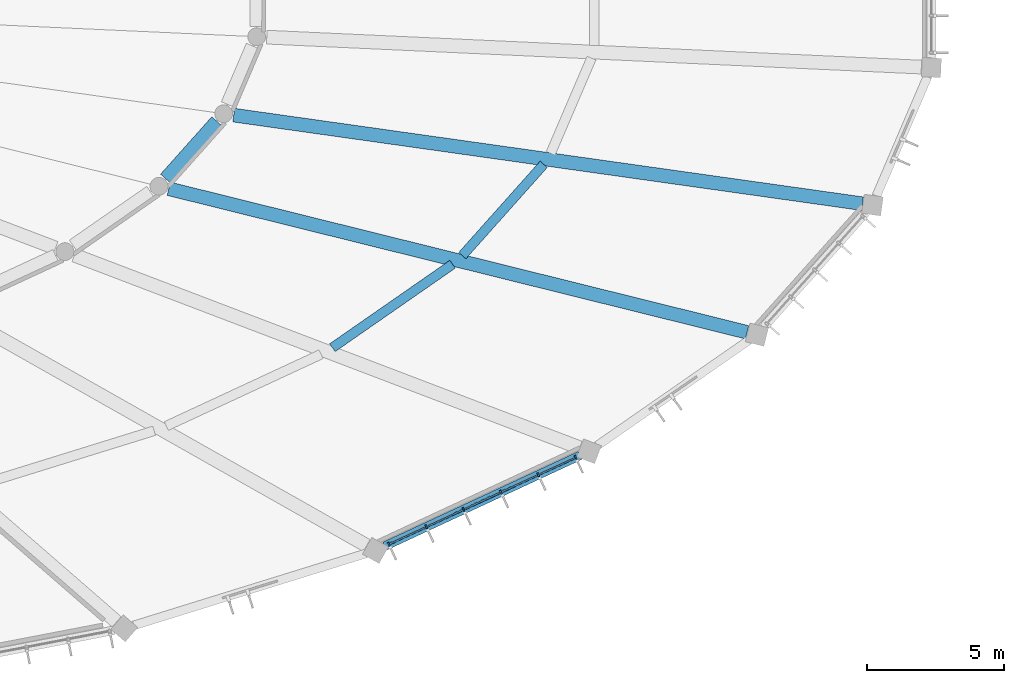
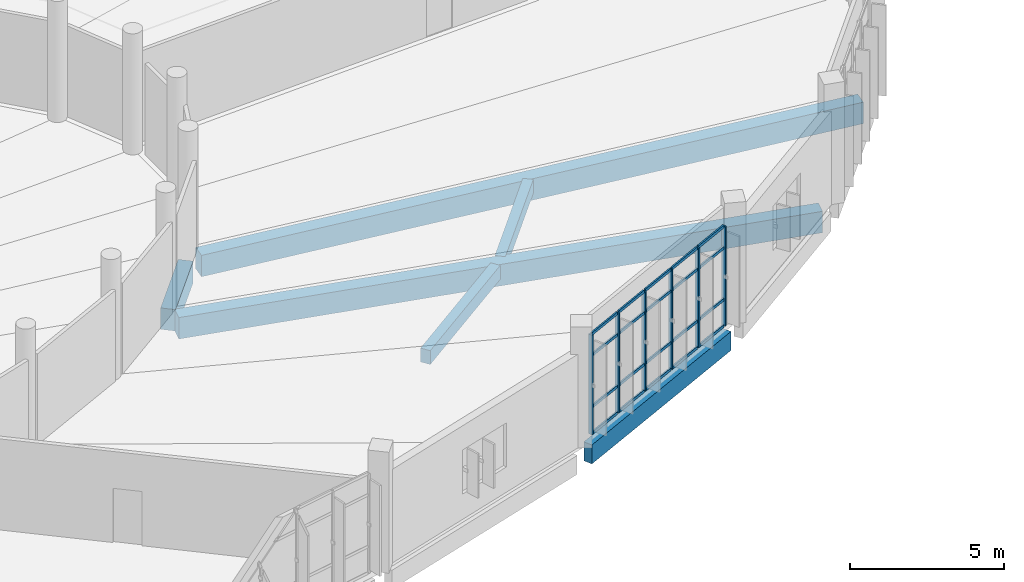
# One storey, part 66 of 179: 26 members, 6 beams, 1 element without a shape of its own.
"""IFC4 building model written with IfcOpenShell, lengths in metres."""

from ifc_helpers import new_model, si_unit, direction, frame, origin, origin_2d, place, context, subcontext, project, spatial, rectangle, extrude, material, layer, layer_set, material_profile, profile_set, type_object, element, aggregate, save


model = new_model("IFC4")

# Units and contexts
model_context = context("Model", 3, precision=1e-05, world=origin(), true_north=direction((0.0, 1.0)))
body_context = subcontext(model_context, "Body", "Model", "MODEL_VIEW")
ifc_project = project(units=[si_unit("LENGTHUNIT", "METRE"), si_unit("AREAUNIT", "SQUARE_METRE"), si_unit("VOLUMEUNIT", "CUBIC_METRE"), si_unit("PLANEANGLEUNIT", "RADIAN"), si_unit("MASSUNIT", "GRAM", prefix="KILO")], contexts=[model_context])

# Site, building, storey
site_placement = place(None, origin())
site = spatial("IfcSite", under=ifc_project, at=site_placement, CompositionType="ELEMENT")
building_placement = place(site_placement, origin())
building = spatial("IfcBuilding", under=site, at=building_placement, Name="Corvandel Quay Wholesale Market", CompositionType="ELEMENT")
storey_placement = place(building_placement, frame((0.0, 0.0, 6.0)))
storey = spatial("IfcBuildingStorey", under=building, at=storey_placement, Name="L01", CompositionType="ELEMENT", Elevation=6.0)

# Curtain wall, members
ifc_material_1 = material(Name="Bronze anodised aluminium and low-E insulated glazing", Category="aluminium")
ifc_layer = layer(ifc_material_1, 0.162109375)
ifc_layer_set = layer_set([ifc_layer], Name="Bronze anodised aluminium and low-E insulated glazing")
curtain_wall_type = type_object("IfcCurtainWallType", Name="Stick Curtain Wall System CW06 H3540", PredefinedType="NOTDEFINED", material=ifc_layer_set)
curtain_wall_placement = place(storey_placement, origin())
curtain_wall = element("IfcCurtainWall", 1, at=curtain_wall_placement, inside=storey, type_object=curtain_wall_type, Name="Curtain Wall CW-0125", PredefinedType="NOTDEFINED")
ifc_material_2 = material(Name="Anodised aluminium 6063-T6", Category="aluminium")
ifc_material_profile_1 = material_profile(ifc_material_2, rectangle(XDim=0.06494140625, YDim=0.14990234375, at=origin_2d()), Name="ALU-MUL-65x150")
ifc_profile_set_1 = profile_set([ifc_material_profile_1], Name="Anodised aluminium 6063-T6")
member_type_1 = type_object("IfcMemberType", Name="Curtain Wall Mullion ML02 65x150", PredefinedType="MULLION", material=ifc_profile_set_1)
member_1_placement = place(storey_placement, frame((150.187744140625, 96.031494140625, 0.0), z_axis=(0.0, 0.0, 1.0), x_axis=(0.906970515865, 0.421194115999, 0.0)))
member_1 = element("IfcMember", 2, at=member_1_placement, type_object=member_type_1, Name="Mullion CW-0125-M00", PredefinedType="MULLION", context=body_context, shape_type="SweptSolid", body=[
    extrude(rectangle(XDim=0.06494140625, YDim=0.14990234375, at=origin_2d()), origin(), (0.0, 0.0, 1.0), 3.949951171875),
])
member_2_placement = place(storey_placement, frame((151.552001953125, 96.664794921875, 0.0), z_axis=(0.0, 0.0, 1.0), x_axis=(0.906970515865, 0.421194115999, 0.0)))
member_2 = element("IfcMember", 3, at=member_2_placement, type_object=member_type_1, Name="Mullion CW-0125-M01", PredefinedType="MULLION", context=body_context, shape_type="SweptSolid", body=[
    extrude(rectangle(XDim=0.06494140625, YDim=0.14990234375, at=origin_2d()), origin(), (0.0, 0.0, 1.0), 3.949951171875),
])
member_3_placement = place(storey_placement, frame((152.916015625, 97.29833984375, 0.0), z_axis=(0.0, 0.0, 1.0), x_axis=(0.906970515865, 0.421194115999, 0.0)))
member_3 = element("IfcMember", 4, at=member_3_placement, type_object=member_type_1, Name="Mullion CW-0125-M02", PredefinedType="MULLION", context=body_context, shape_type="SweptSolid", body=[
    extrude(rectangle(XDim=0.06494140625, YDim=0.14990234375, at=origin_2d()), origin(), (0.0, 0.0, 1.0), 3.949951171875),
])
member_4_placement = place(storey_placement, frame((154.280029296875, 97.931640625, 0.0), z_axis=(0.0, 0.0, 1.0), x_axis=(0.906970515865, 0.421194115999, 0.0)))
member_4 = element("IfcMember", 5, at=member_4_placement, type_object=member_type_1, Name="Mullion CW-0125-M03", PredefinedType="MULLION", context=body_context, shape_type="SweptSolid", body=[
    extrude(rectangle(XDim=0.06494140625, YDim=0.14990234375, at=origin_2d()), origin(), (0.0, 0.0, 1.0), 3.949951171875),
])
member_5_placement = place(storey_placement, frame((155.64404296875, 98.565185546875, 0.0), z_axis=(0.0, 0.0, 1.0), x_axis=(0.906970515865, 0.421194115999, 0.0)))
member_5 = element("IfcMember", 6, at=member_5_placement, type_object=member_type_1, Name="Mullion CW-0125-M04", PredefinedType="MULLION", context=body_context, shape_type="SweptSolid", body=[
    extrude(rectangle(XDim=0.06494140625, YDim=0.14990234375, at=origin_2d()), origin(), (0.0, 0.0, 1.0), 3.949951171875),
])
member_6_placement = place(storey_placement, frame((157.00830078125, 99.198486328125, 0.0), z_axis=(0.0, 0.0, 1.0), x_axis=(0.906970515865, 0.421194115999, 0.0)))
member_6 = element("IfcMember", 7, at=member_6_placement, type_object=member_type_1, Name="Mullion CW-0125-M05", PredefinedType="MULLION", context=body_context, shape_type="SweptSolid", body=[
    extrude(rectangle(XDim=0.06494140625, YDim=0.14990234375, at=origin_2d()), origin(), (0.0, 0.0, 1.0), 3.949951171875),
])
ifc_material_profile_2 = material_profile(ifc_material_2, rectangle(XDim=0.06005859375, YDim=0.110107421875, at=origin_2d()), Name="ALU-TRN-60x110")
ifc_profile_set_2 = profile_set([ifc_material_profile_2], Name="Anodised aluminium 6063-T6")
member_type_2 = type_object("IfcMemberType", Name="Curtain Wall Transom TR02 60x110", PredefinedType="USERDEFINED", material=ifc_profile_set_2)
member_7_placement = place(storey_placement, frame((150.21728515625, 96.045166015625, 0.0), z_axis=(0.90701359646, 0.421101336778, 0.0), x_axis=(-0.421101336778, 0.90701359646, 0.0)))
member_7 = element("IfcMember", 8, at=member_7_placement, type_object=member_type_2, Name="Transom CW-0125-T00-0", ObjectType="TRANSOM", PredefinedType="USERDEFINED", context=body_context, shape_type="SweptSolid", body=[
    extrude(rectangle(XDim=0.06005859375, YDim=0.110107421875, at=origin_2d()), origin(), (0.0, 0.0, 1.0), 1.43896484375),
])
member_8_placement = place(storey_placement, frame((150.21728515625, 96.045166015625, 1.050048828125), z_axis=(0.90701359646, 0.421101336778, 0.0), x_axis=(-0.421101336778, 0.90701359646, 0.0)))
member_8 = element("IfcMember", 9, at=member_8_placement, type_object=member_type_2, Name="Transom CW-0125-T00-1", ObjectType="TRANSOM", PredefinedType="USERDEFINED", context=body_context, shape_type="SweptSolid", body=[
    extrude(rectangle(XDim=0.06005859375, YDim=0.110107421875, at=origin_2d()), origin(), (0.0, 0.0, 1.0), 1.43896484375),
])
member_9_placement = place(storey_placement, frame((150.21728515625, 96.045166015625, 3.10009765625), z_axis=(0.90701359646, 0.421101336778, 0.0), x_axis=(-0.421101336778, 0.90701359646, 0.0)))
member_9 = element("IfcMember", 10, at=member_9_placement, type_object=member_type_2, Name="Transom CW-0125-T00-2", ObjectType="TRANSOM", PredefinedType="USERDEFINED", context=body_context, shape_type="SweptSolid", body=[
    extrude(rectangle(XDim=0.06005859375, YDim=0.110107421875, at=origin_2d()), origin(), (0.0, 0.0, 1.0), 1.43896484375),
])
member_10_placement = place(storey_placement, frame((150.21728515625, 96.045166015625, 3.949951171875), z_axis=(0.90701359646, 0.421101336778, 0.0), x_axis=(-0.421101336778, 0.90701359646, 0.0)))
member_10 = element("IfcMember", 11, at=member_10_placement, type_object=member_type_2, Name="Transom CW-0125-T00-3", ObjectType="TRANSOM", PredefinedType="USERDEFINED", context=body_context, shape_type="SweptSolid", body=[
    extrude(rectangle(XDim=0.06005859375, YDim=0.110107421875, at=origin_2d()), origin(), (0.0, 0.0, 1.0), 1.43896484375),
])
member_11_placement = place(storey_placement, frame((151.581298828125, 96.678466796875, 0.0), z_axis=(0.906948788823, 0.421240898363, 0.0), x_axis=(-0.421240898363, 0.906948788823, 0.0)))
member_11 = element("IfcMember", 12, at=member_11_placement, type_object=member_type_2, Name="Transom CW-0125-T01-0", ObjectType="TRANSOM", PredefinedType="USERDEFINED", context=body_context, shape_type="SweptSolid", body=[
    extrude(rectangle(XDim=0.06005859375, YDim=0.110107421875, at=origin_2d()), origin(), (0.0, 0.0, 1.0), 1.43896484375),
])
member_12_placement = place(storey_placement, frame((151.581298828125, 96.678466796875, 1.050048828125), z_axis=(0.906948788823, 0.421240898363, 0.0), x_axis=(-0.421240898363, 0.906948788823, 0.0)))
member_12 = element("IfcMember", 13, at=member_12_placement, type_object=member_type_2, Name="Transom CW-0125-T01-1", ObjectType="TRANSOM", PredefinedType="USERDEFINED", context=body_context, shape_type="SweptSolid", body=[
    extrude(rectangle(XDim=0.06005859375, YDim=0.110107421875, at=origin_2d()), origin(), (0.0, 0.0, 1.0), 1.43896484375),
])
member_13_placement = place(storey_placement, frame((151.581298828125, 96.678466796875, 3.10009765625), z_axis=(0.906948788823, 0.421240898363, 0.0), x_axis=(-0.421240898363, 0.906948788823, 0.0)))
member_13 = element("IfcMember", 14, at=member_13_placement, type_object=member_type_2, Name="Transom CW-0125-T01-2", ObjectType="TRANSOM", PredefinedType="USERDEFINED", context=body_context, shape_type="SweptSolid", body=[
    extrude(rectangle(XDim=0.06005859375, YDim=0.110107421875, at=origin_2d()), origin(), (0.0, 0.0, 1.0), 1.43896484375),
])
member_14_placement = place(storey_placement, frame((151.581298828125, 96.678466796875, 3.949951171875), z_axis=(0.906948788823, 0.421240898363, 0.0), x_axis=(-0.421240898363, 0.906948788823, 0.0)))
member_14 = element("IfcMember", 15, at=member_14_placement, type_object=member_type_2, Name="Transom CW-0125-T01-3", ObjectType="TRANSOM", PredefinedType="USERDEFINED", context=body_context, shape_type="SweptSolid", body=[
    extrude(rectangle(XDim=0.06005859375, YDim=0.110107421875, at=origin_2d()), origin(), (0.0, 0.0, 1.0), 1.43896484375),
])
member_15_placement = place(storey_placement, frame((152.9453125, 97.31201171875, 0.0), z_axis=(0.90701359646, 0.421101336778, 0.0), x_axis=(-0.421101336778, 0.90701359646, 0.0)))
member_15 = element("IfcMember", 16, at=member_15_placement, type_object=member_type_2, Name="Transom CW-0125-T02-0", ObjectType="TRANSOM", PredefinedType="USERDEFINED", context=body_context, shape_type="SweptSolid", body=[
    extrude(rectangle(XDim=0.06005859375, YDim=0.110107421875, at=origin_2d()), origin(), (0.0, 0.0, 1.0), 1.43896484375),
])
member_16_placement = place(storey_placement, frame((152.9453125, 97.31201171875, 1.050048828125), z_axis=(0.90701359646, 0.421101336778, 0.0), x_axis=(-0.421101336778, 0.90701359646, 0.0)))
member_16 = element("IfcMember", 17, at=member_16_placement, type_object=member_type_2, Name="Transom CW-0125-T02-1", ObjectType="TRANSOM", PredefinedType="USERDEFINED", context=body_context, shape_type="SweptSolid", body=[
    extrude(rectangle(XDim=0.06005859375, YDim=0.110107421875, at=origin_2d()), origin(), (0.0, 0.0, 1.0), 1.43896484375),
])
member_17_placement = place(storey_placement, frame((152.9453125, 97.31201171875, 3.10009765625), z_axis=(0.90701359646, 0.421101336778, 0.0), x_axis=(-0.421101336778, 0.90701359646, 0.0)))
member_17 = element("IfcMember", 18, at=member_17_placement, type_object=member_type_2, Name="Transom CW-0125-T02-2", ObjectType="TRANSOM", PredefinedType="USERDEFINED", context=body_context, shape_type="SweptSolid", body=[
    extrude(rectangle(XDim=0.06005859375, YDim=0.110107421875, at=origin_2d()), origin(), (0.0, 0.0, 1.0), 1.43896484375),
])
member_18_placement = place(storey_placement, frame((152.9453125, 97.31201171875, 3.949951171875), z_axis=(0.90701359646, 0.421101336778, 0.0), x_axis=(-0.421101336778, 0.90701359646, 0.0)))
member_18 = element("IfcMember", 19, at=member_18_placement, type_object=member_type_2, Name="Transom CW-0125-T02-3", ObjectType="TRANSOM", PredefinedType="USERDEFINED", context=body_context, shape_type="SweptSolid", body=[
    extrude(rectangle(XDim=0.06005859375, YDim=0.110107421875, at=origin_2d()), origin(), (0.0, 0.0, 1.0), 1.43896484375),
])
member_19_placement = place(storey_placement, frame((154.3095703125, 97.9453125, 0.0), z_axis=(0.90691867852, 0.421305721004, 0.0), x_axis=(-0.421305721004, 0.90691867852, 0.0)))
member_19 = element("IfcMember", 20, at=member_19_placement, type_object=member_type_2, Name="Transom CW-0125-T03-0", ObjectType="TRANSOM", PredefinedType="USERDEFINED", context=body_context, shape_type="SweptSolid", body=[
    extrude(rectangle(XDim=0.06005859375, YDim=0.110107421875, at=origin_2d()), origin(), (0.0, 0.0, 1.0), 1.43896484375),
])
member_20_placement = place(storey_placement, frame((154.3095703125, 97.9453125, 1.050048828125), z_axis=(0.90691867852, 0.421305721004, 0.0), x_axis=(-0.421305721004, 0.90691867852, 0.0)))
member_20 = element("IfcMember", 21, at=member_20_placement, type_object=member_type_2, Name="Transom CW-0125-T03-1", ObjectType="TRANSOM", PredefinedType="USERDEFINED", context=body_context, shape_type="SweptSolid", body=[
    extrude(rectangle(XDim=0.06005859375, YDim=0.110107421875, at=origin_2d()), origin(), (0.0, 0.0, 1.0), 1.43896484375),
])
member_21_placement = place(storey_placement, frame((154.3095703125, 97.9453125, 3.10009765625), z_axis=(0.90691867852, 0.421305721004, 0.0), x_axis=(-0.421305721004, 0.90691867852, 0.0)))
member_21 = element("IfcMember", 22, at=member_21_placement, type_object=member_type_2, Name="Transom CW-0125-T03-2", ObjectType="TRANSOM", PredefinedType="USERDEFINED", context=body_context, shape_type="SweptSolid", body=[
    extrude(rectangle(XDim=0.06005859375, YDim=0.110107421875, at=origin_2d()), origin(), (0.0, 0.0, 1.0), 1.43896484375),
])
member_22_placement = place(storey_placement, frame((154.3095703125, 97.9453125, 3.949951171875), z_axis=(0.90691867852, 0.421305721004, 0.0), x_axis=(-0.421305721004, 0.90691867852, 0.0)))
member_22 = element("IfcMember", 23, at=member_22_placement, type_object=member_type_2, Name="Transom CW-0125-T03-3", ObjectType="TRANSOM", PredefinedType="USERDEFINED", context=body_context, shape_type="SweptSolid", body=[
    extrude(rectangle(XDim=0.06005859375, YDim=0.110107421875, at=origin_2d()), origin(), (0.0, 0.0, 1.0), 1.43896484375),
])
member_23_placement = place(storey_placement, frame((155.673583984375, 98.578857421875, 0.0), z_axis=(0.90701359646, 0.421101336778, 0.0), x_axis=(-0.421101336778, 0.90701359646, 0.0)))
member_23 = element("IfcMember", 24, at=member_23_placement, type_object=member_type_2, Name="Transom CW-0125-T04-0", ObjectType="TRANSOM", PredefinedType="USERDEFINED", context=body_context, shape_type="SweptSolid", body=[
    extrude(rectangle(XDim=0.06005859375, YDim=0.110107421875, at=origin_2d()), origin(), (0.0, 0.0, 1.0), 1.43896484375),
])
member_24_placement = place(storey_placement, frame((155.673583984375, 98.578857421875, 1.050048828125), z_axis=(0.90701359646, 0.421101336778, 0.0), x_axis=(-0.421101336778, 0.90701359646, 0.0)))
member_24 = element("IfcMember", 25, at=member_24_placement, type_object=member_type_2, Name="Transom CW-0125-T04-1", ObjectType="TRANSOM", PredefinedType="USERDEFINED", context=body_context, shape_type="SweptSolid", body=[
    extrude(rectangle(XDim=0.06005859375, YDim=0.110107421875, at=origin_2d()), origin(), (0.0, 0.0, 1.0), 1.43896484375),
])
member_25_placement = place(storey_placement, frame((155.673583984375, 98.578857421875, 3.10009765625), z_axis=(0.90701359646, 0.421101336778, 0.0), x_axis=(-0.421101336778, 0.90701359646, 0.0)))
member_25 = element("IfcMember", 26, at=member_25_placement, type_object=member_type_2, Name="Transom CW-0125-T04-2", ObjectType="TRANSOM", PredefinedType="USERDEFINED", context=body_context, shape_type="SweptSolid", body=[
    extrude(rectangle(XDim=0.06005859375, YDim=0.110107421875, at=origin_2d()), origin(), (0.0, 0.0, 1.0), 1.43896484375),
])
member_26_placement = place(storey_placement, frame((155.673583984375, 98.578857421875, 3.949951171875), z_axis=(0.90701359646, 0.421101336778, 0.0), x_axis=(-0.421101336778, 0.90701359646, 0.0)))
member_26 = element("IfcMember", 27, at=member_26_placement, type_object=member_type_2, Name="Transom CW-0125-T04-3", ObjectType="TRANSOM", PredefinedType="USERDEFINED", context=body_context, shape_type="SweptSolid", body=[
    extrude(rectangle(XDim=0.06005859375, YDim=0.110107421875, at=origin_2d()), origin(), (0.0, 0.0, 1.0), 1.43896484375),
])
aggregate(curtain_wall, [member_1, member_2, member_3, member_4, member_5, member_6, member_7, member_8, member_9, member_10, member_11, member_12, member_13, member_14, member_15, member_16, member_17, member_18, member_19, member_20, member_21, member_22, member_23, member_24, member_25, member_26])

# Beams
ifc_material_3 = material(Name="Precast concrete C45/55", Category="concrete")
ifc_material_profile_3 = material_profile(ifc_material_3, rectangle(XDim=0.5, YDim=0.85009765625, at=origin_2d()), Name="PC-GIR-500x850")
ifc_profile_set_3 = profile_set([ifc_material_profile_3], Name="Precast concrete C45/55")
beam_type_1 = type_object("IfcBeamType", Name="Fish Hall Radial Girder G04 500x850", PredefinedType="USERDEFINED", material=ifc_profile_set_3)
beam_1_placement = place(storey_placement, frame((142.037353515625, 109.379150390625, -0.705078125), z_axis=(0.665705048761, 0.746214974423, 0.0), x_axis=(-0.746214974423, 0.665705048761, 0.0)))
element("IfcBeam", 28, at=beam_1_placement, inside=storey, type_object=beam_type_1, Name="Beam BM-0741", ObjectType="GIRDER", PredefinedType="USERDEFINED", context=body_context, shape_type="SweptSolid", body=[
    extrude(rectangle(XDim=0.5, YDim=0.85009765625, at=origin_2d()), origin(), (0.0, 0.0, 1.0), 2.81103515625),
])
beam_2_placement = place(storey_placement, frame((163.267822265625, 103.773193359375, -0.705078125), z_axis=(-0.970559518546, 0.240861414427, 0.0), x_axis=(-0.240861414427, -0.970559518546, 0.0)))
element("IfcBeam", 29, at=beam_2_placement, inside=storey, type_object=beam_type_1, Name="Beam BM-0742", ObjectType="GIRDER", PredefinedType="USERDEFINED", context=body_context, shape_type="SweptSolid", body=[
    extrude(rectangle(XDim=0.5, YDim=0.85009765625, at=origin_2d()), origin(), (0.0, 0.0, 1.0), 21.75830078125),
])
beam_3_placement = place(storey_placement, frame((167.481689453125, 108.467529296875, -0.705078125), z_axis=(-0.990226177407, 0.139470848487, 0.0), x_axis=(-0.139470848487, -0.990226177407, 0.0)))
element("IfcBeam", 30, at=beam_3_placement, inside=storey, type_object=beam_type_1, Name="Beam BM-0749", ObjectType="GIRDER", PredefinedType="USERDEFINED", context=body_context, shape_type="SweptSolid", body=[
    extrude(rectangle(XDim=0.5, YDim=0.85009765625, at=origin_2d()), origin(), (0.0, 0.0, 1.0), 23.186767578125),
])
ifc_material_profile_4 = material_profile(ifc_material_3, rectangle(XDim=0.320068359375, YDim=0.75, at=origin_2d()), Name="PC-SPN-320x750")
ifc_profile_set_4 = profile_set([ifc_material_profile_4], Name="Precast concrete C45/55")
beam_type_2 = type_object("IfcBeamType", Name="Pavilion Precast Spandrel SP02 320x750", PredefinedType="SPANDREL", material=ifc_profile_set_4)
beam_4_placement = place(storey_placement, frame((150.03369140625, 95.959716796875, -0.655029296875), z_axis=(0.90696955816, 0.421196178248, 0.0), x_axis=(-0.421196178248, 0.90696955816, 0.0)))
element("IfcBeam", 31, at=beam_4_placement, inside=storey, type_object=beam_type_2, Name="Beam BM-0726", PredefinedType="SPANDREL", context=body_context, shape_type="SweptSolid", body=[
    extrude(rectangle(XDim=0.320068359375, YDim=0.75, at=origin_2d()), origin(), (0.0, 0.0, 1.0), 7.85986328125),
])
ifc_material_profile_5 = material_profile(ifc_material_3, rectangle(XDim=0.35009765625, YDim=0.550048828125, at=origin_2d()), Name="PC-BM-350x550")
ifc_profile_set_5 = profile_set([ifc_material_profile_5], Name="Precast concrete C45/55")
beam_type_3 = type_object("IfcBeamType", Name="Standard Floor Secondary Beam B03 350x550", PredefinedType="BEAM", material=ifc_profile_set_5)
beam_5_placement = place(storey_placement, frame((148.12548828125, 103.20947265625, -0.554931640625), z_axis=(0.821286078293, 0.570516588366, 0.0), x_axis=(-0.570516588366, 0.821286078293, 0.0)))
element("IfcBeam", 32, at=beam_5_placement, inside=storey, type_object=beam_type_3, Name="Beam BM-0736", PredefinedType="BEAM", context=body_context, shape_type="SweptSolid", body=[
    extrude(rectangle(XDim=0.35009765625, YDim=0.550048828125, at=origin_2d()), origin(), (0.0, 0.0, 1.0), 5.341064453125),
])
beam_6_placement = place(storey_placement, frame((152.868896484375, 106.572509765625, -0.554931640625), z_axis=(0.665642000542, 0.746271215521, 0.0), x_axis=(-0.746271215521, 0.665642000542, 0.0)))
element("IfcBeam", 33, at=beam_6_placement, inside=storey, type_object=beam_type_3, Name="Beam BM-0743", PredefinedType="BEAM", context=body_context, shape_type="SweptSolid", body=[
    extrude(rectangle(XDim=0.35009765625, YDim=0.550048828125, at=origin_2d()), origin(), (0.0, 0.0, 1.0), 4.46630859375),
])

save(model, "model.ifc")
